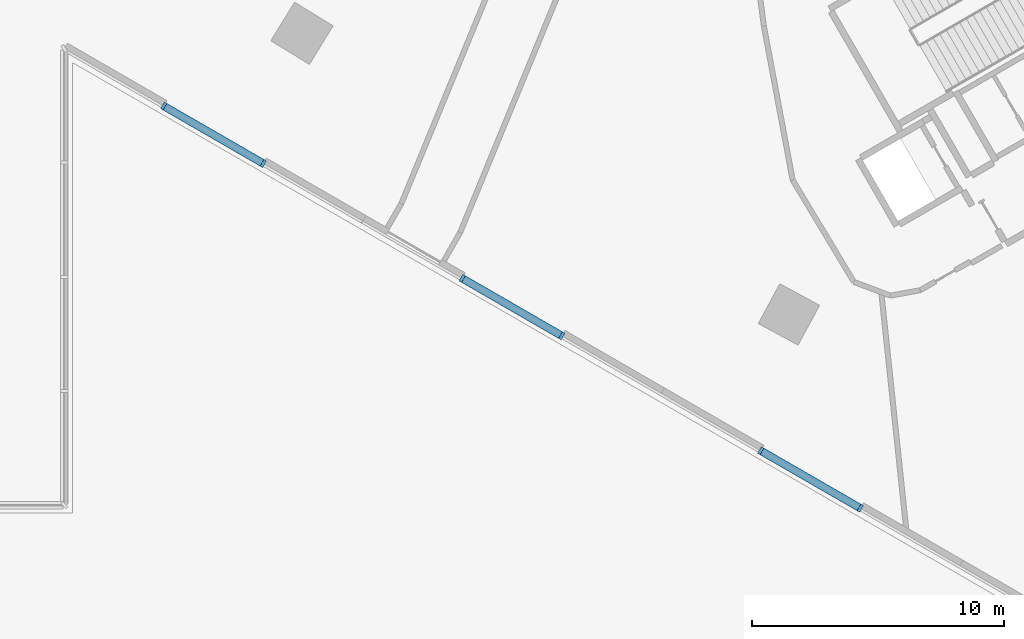
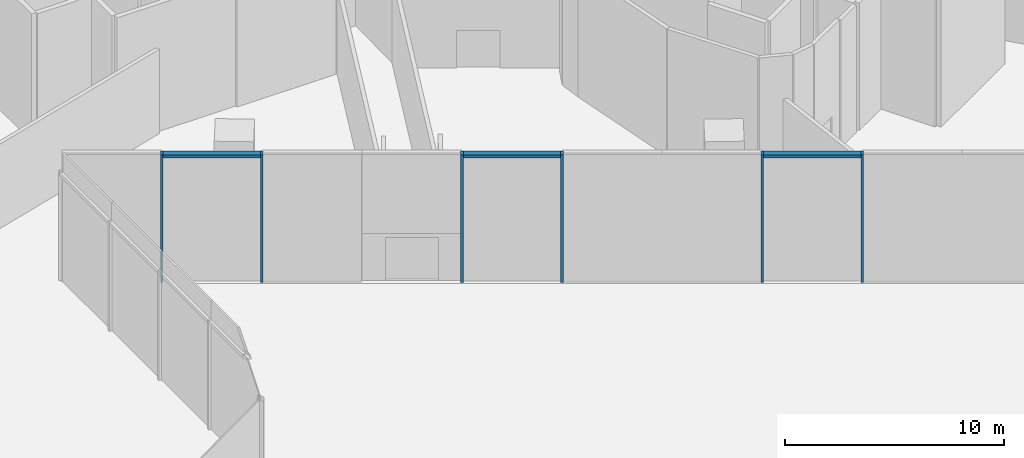
# One storey, part 3 of 41: 9 members, 1 element without a shape of its own.
"""IFC4 building model written with IfcOpenShell, lengths in metres."""

from ifc_helpers import new_model, si_unit, direction, frame, origin, origin_2d, place, context, subcontext, project, spatial, rectangle, extrude, material, material_profile, profile_set, type_object, element, aggregate, save


model = new_model("IFC4")

# Units and contexts
model_context = context("Model", 3, precision=1e-05, world=origin(), true_north=direction((0.0, 1.0)))
body_context = subcontext(model_context, "Body", "Model", "MODEL_VIEW")
ifc_project = project(units=[si_unit("LENGTHUNIT", "METRE"), si_unit("AREAUNIT", "SQUARE_METRE"), si_unit("VOLUMEUNIT", "CUBIC_METRE"), si_unit("PLANEANGLEUNIT", "RADIAN"), si_unit("MASSUNIT", "GRAM", prefix="KILO")], contexts=[model_context])

# Site, building, storey
site_placement = place(None, origin())
site = spatial("IfcSite", under=ifc_project, at=site_placement, CompositionType="ELEMENT")
building_placement = place(site_placement, origin())
building = spatial("IfcBuilding", under=site, at=building_placement, Name="Tamra Quay Hotel Tower", CompositionType="ELEMENT")
storey_placement = place(building_placement, origin())
storey = spatial("IfcBuildingStorey", under=building, at=storey_placement, Name="L00", CompositionType="ELEMENT", Elevation=0.0)

# Curtain wall, members
ifc_material = material(Name="Aluminium 6063 anodised dark grey", Category="aluminium")
curtain_wall_type = type_object("IfcCurtainWallType", Name="CW4 CURTAIN WALL", PredefinedType="NOTDEFINED", material=ifc_material)
curtain_wall_placement = place(storey_placement, origin())
curtain_wall = element("IfcCurtainWall", 1, at=curtain_wall_placement, inside=storey, type_object=curtain_wall_type, Name="CW4 south-west face L00", PredefinedType="NOTDEFINED")
ifc_material_profile_1 = material_profile(ifc_material, rectangle(XDim=0.300048828125, YDim=0.1201171875, at=origin_2d()), Name="MULLION 120X300")
ifc_profile_set_1 = profile_set([ifc_material_profile_1], Name="Aluminium 6063 anodised dark grey")
member_type_1 = type_object("IfcMemberType", Name="MULLION CW4", PredefinedType="MULLION", material=ifc_profile_set_1)
member_1_placement = place(storey_placement, frame((-26.04541015625, -16.1396484375, 0.0), z_axis=(0.0, 0.0, 1.0), x_axis=(-0.5, -0.866025403784, 0.0)))
member_1 = element("IfcMember", 2, at=member_1_placement, type_object=member_type_1, Name="CW4 mullion L00.SW.1", PredefinedType="MULLION", context=body_context, shape_type="SweptSolid", body=[
    extrude(rectangle(XDim=0.300048828125, YDim=0.1201171875, at=origin_2d()), origin(), (0.0, 0.0, 1.0), 7.10009765625),
])
member_2_placement = place(storey_placement, frame((-22.0908203125, -18.422607421875, 0.0), z_axis=(0.0, 0.0, 1.0), x_axis=(-0.5, -0.866025403784, 0.0)))
member_2 = element("IfcMember", 3, at=member_2_placement, type_object=member_type_1, Name="CW4 mullion L00.SW.2", PredefinedType="MULLION", context=body_context, shape_type="SweptSolid", body=[
    extrude(rectangle(XDim=0.300048828125, YDim=0.1201171875, at=origin_2d()), origin(), (0.0, 0.0, 1.0), 7.10009765625),
])
member_3_placement = place(storey_placement, frame((-14.181884765625, -22.989013671875, 0.0), z_axis=(0.0, 0.0, 1.0), x_axis=(-0.5, -0.866025403784, 0.0)))
member_3 = element("IfcMember", 4, at=member_3_placement, type_object=member_type_1, Name="CW4 mullion L00.SW.2", PredefinedType="MULLION", context=body_context, shape_type="SweptSolid", body=[
    extrude(rectangle(XDim=0.300048828125, YDim=0.1201171875, at=origin_2d()), origin(), (0.0, 0.0, 1.0), 7.10009765625),
])
member_4_placement = place(storey_placement, frame((-10.227294921875, -25.272216796875, 0.0), z_axis=(0.0, 0.0, 1.0), x_axis=(-0.5, -0.866025403784, 0.0)))
member_4 = element("IfcMember", 5, at=member_4_placement, type_object=member_type_1, Name="CW4 mullion L00.SW.3", PredefinedType="MULLION", context=body_context, shape_type="SweptSolid", body=[
    extrude(rectangle(XDim=0.300048828125, YDim=0.1201171875, at=origin_2d()), origin(), (0.0, 0.0, 1.0), 7.10009765625),
])
member_5_placement = place(storey_placement, frame((-2.318115234375, -29.838623046875, 0.0), z_axis=(0.0, 0.0, 1.0), x_axis=(-0.5, -0.866025403784, 0.0)))
member_5 = element("IfcMember", 6, at=member_5_placement, type_object=member_type_1, Name="CW4 mullion L00.SW.3", PredefinedType="MULLION", context=body_context, shape_type="SweptSolid", body=[
    extrude(rectangle(XDim=0.300048828125, YDim=0.1201171875, at=origin_2d()), origin(), (0.0, 0.0, 1.0), 7.10009765625),
])
member_6_placement = place(storey_placement, frame((1.636474609375, -32.12158203125, 0.0), z_axis=(0.0, 0.0, 1.0), x_axis=(-0.5, -0.866025403784, 0.0)))
member_6 = element("IfcMember", 7, at=member_6_placement, type_object=member_type_1, Name="CW4 mullion L00.SW.4", PredefinedType="MULLION", context=body_context, shape_type="SweptSolid", body=[
    extrude(rectangle(XDim=0.300048828125, YDim=0.1201171875, at=origin_2d()), origin(), (0.0, 0.0, 1.0), 7.10009765625),
])
ifc_material_profile_2 = material_profile(ifc_material, rectangle(XDim=0.300048828125, YDim=0.179931640625, at=origin_2d()), Name="TRANSOM 300X180")
ifc_profile_set_2 = profile_set([ifc_material_profile_2], Name="Aluminium 6063 anodised dark grey")
member_type_2 = type_object("IfcMemberType", Name="TRANSOM CW4", PredefinedType="USERDEFINED", material=ifc_profile_set_2)
member_7_placement = place(storey_placement, frame((-25.993408203125, -16.169677734375, 7.010009765625), z_axis=(0.866024653538, -0.500001299462, 0.0), x_axis=(0.500001299462, 0.866024653538, 0.0)))
member_7 = element("IfcMember", 8, at=member_7_placement, type_object=member_type_2, Name="CW4 transom L00.SW.1", ObjectType="TRANSOM", PredefinedType="USERDEFINED", context=body_context, shape_type="SweptSolid", body=[
    extrude(rectangle(XDim=0.300048828125, YDim=0.179931640625, at=origin_2d()), origin(), (0.0, 0.0, 1.0), 4.4462890625),
])
member_8_placement = place(storey_placement, frame((-14.1298828125, -23.01904296875, 7.010009765625), z_axis=(0.866024653538, -0.500001299462, 0.0), x_axis=(0.500001299462, 0.866024653538, 0.0)))
member_8 = element("IfcMember", 9, at=member_8_placement, type_object=member_type_2, Name="CW4 transom L00.SW.2", ObjectType="TRANSOM", PredefinedType="USERDEFINED", context=body_context, shape_type="SweptSolid", body=[
    extrude(rectangle(XDim=0.300048828125, YDim=0.179931640625, at=origin_2d()), origin(), (0.0, 0.0, 1.0), 4.4462890625),
])
member_9_placement = place(storey_placement, frame((-2.26611328125, -29.868408203125, 7.010009765625), z_axis=(0.866024653538, -0.500001299462, 0.0), x_axis=(0.500001299462, 0.866024653538, 0.0)))
member_9 = element("IfcMember", 10, at=member_9_placement, type_object=member_type_2, Name="CW4 transom L00.SW.3", ObjectType="TRANSOM", PredefinedType="USERDEFINED", context=body_context, shape_type="SweptSolid", body=[
    extrude(rectangle(XDim=0.300048828125, YDim=0.179931640625, at=origin_2d()), origin(), (0.0, 0.0, 1.0), 4.4462890625),
])
aggregate(curtain_wall, [member_1, member_7, member_2, member_3, member_8, member_4, member_5, member_9, member_6])

save(model, "model.ifc")
